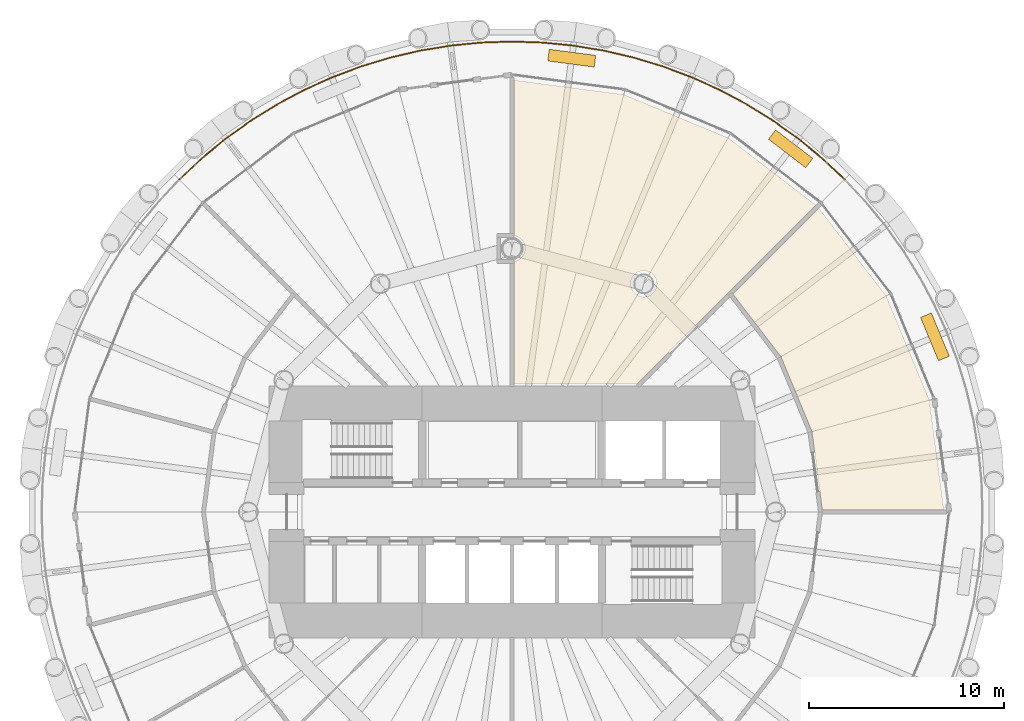
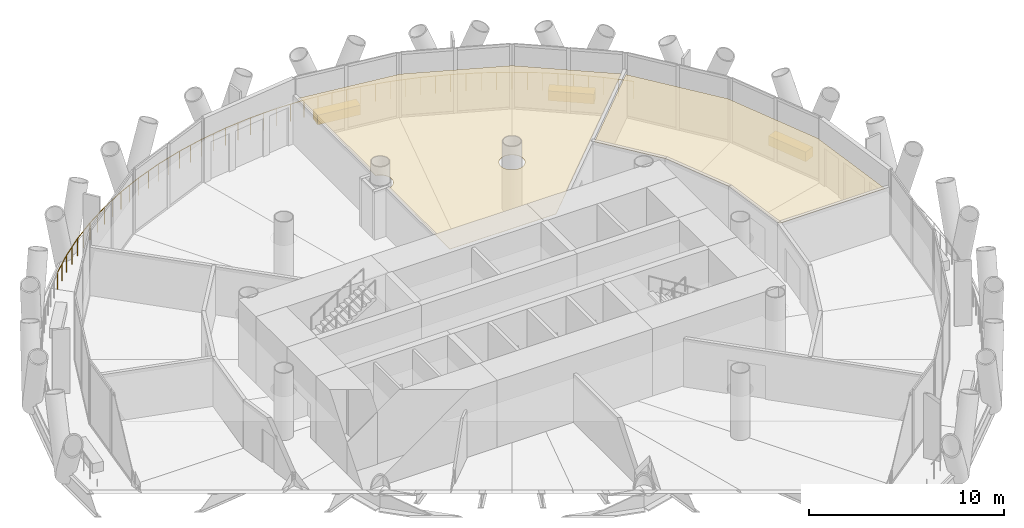
# One storey, part 14 of 14: 5 coverings, 1 railing.
"""IFC4 building model written with IfcOpenShell, lengths in metres."""

from ifc_helpers import new_model, si_unit, direction, frame, origin, origin_2d, place, context, subcontext, project, spatial, polyline, rectangle, circle, outline, extrude, material, layer, layer_set, type_object, element, save


model = new_model("IFC4")

# Units and contexts
model_context = context("Model", 3, precision=1e-05, world=origin(), true_north=direction((0.0, 1.0)))
body_context = subcontext(model_context, "Body", "Model", "MODEL_VIEW")
ifc_project = project(units=[si_unit("LENGTHUNIT", "METRE"), si_unit("AREAUNIT", "SQUARE_METRE"), si_unit("VOLUMEUNIT", "CUBIC_METRE"), si_unit("PLANEANGLEUNIT", "RADIAN"), si_unit("MASSUNIT", "GRAM", prefix="KILO")], contexts=[model_context])

# Site, building, storey
site_placement = place(None, origin())
site = spatial("IfcSite", under=ifc_project, at=site_placement, CompositionType="ELEMENT")
building_placement = place(site_placement, origin())
building = spatial("IfcBuilding", under=site, at=building_placement, Name="Qaws Media Tower", CompositionType="ELEMENT")
storey_placement = place(building_placement, frame((0.0, 0.0, 152.0)))
storey = spatial("IfcBuildingStorey", under=building, at=storey_placement, Name="L34", CompositionType="ELEMENT", Elevation=152.0)

# Railing
ifc_material_1 = material(Name="Stainless steel and glass guard", Category="steel")
railing_type = type_object("IfcRailingType", Name="Balcony guard 1100", PredefinedType="GUARDRAIL", material=ifc_material_1)
railing_placement = place(storey_placement, frame((77.041259765625, 67.041259765625, 0.0)))
element("IfcRailing", 1, at=railing_placement, inside=storey, type_object=railing_type, Name="GR1 balcony guard L34-1", PredefinedType="GUARDRAIL", context=body_context, shape_type="SweptSolid", body=[
    extrude(circle(Radius=0.02392578125, at=origin_2d()), frame((0.0, 0.0, 1.076171875), z_axis=(-0.729870205796, 0.683585753721, 0.0), x_axis=(-0.683585753721, -0.729870205796, 0.0)), (0.0, 0.0, 1.0), 1.5771484375),
    extrude(circle(Radius=0.02392578125, at=origin_2d()), frame((-1.151123046875, 1.078125, 1.076171875), z_axis=(-0.772983820353, 0.634425735191, 0.0), x_axis=(-0.634425735191, -0.772983820353, 0.0)), (0.0, 0.0, 1.0), 1.576904296875),
    extrude(circle(Radius=0.02392578125, at=origin_2d()), frame((-2.3701171875, 2.07861328125, 1.076171875), z_axis=(-0.81290629918, 0.582394495813, 0.0), x_axis=(-0.582394495813, -0.81290629918, 0.0)), (0.0, 0.0, 1.0), 1.5771484375),
    extrude(circle(Radius=0.02392578125, at=origin_2d()), frame((-3.652099609375, 2.9970703125, 1.076171875), z_axis=(-0.849187752974, 0.528091052943, 0.0), x_axis=(-0.528091052943, -0.849187752974, 0.0)), (0.0, 0.0, 1.0), 1.576904296875),
    extrude(circle(Radius=0.02392578125, at=origin_2d()), frame((-4.9912109375, 3.829833984375, 1.076171875), z_axis=(-0.881863979512, 0.471503893557, 0.0), x_axis=(-0.471503893557, -0.881863979512, 0.0)), (0.0, 0.0, 1.0), 1.5771484375),
    extrude(circle(Radius=0.02392578125, at=origin_2d()), frame((-6.382080078125, 4.573486328125, 1.076171875), z_axis=(-0.910922345852, 0.412577846991, 0.0), x_axis=(-0.412577846991, -0.910922345852, 0.0)), (0.0, 0.0, 1.0), 1.576904296875),
    extrude(circle(Radius=0.02392578125, at=origin_2d()), frame((-7.818603515625, 5.22412109375, 1.076171875), z_axis=(-0.935883127453, 0.352310618274, 0.0), x_axis=(-0.352310618274, -0.935883127453, 0.0)), (0.0, 0.0, 1.0), 1.5771484375),
    extrude(circle(Radius=0.02392578125, at=origin_2d()), frame((-9.294677734375, 5.77978515625, 1.076171875), z_axis=(-0.956939727246, 0.290286683156, 0.0), x_axis=(-0.290286683156, -0.956939727246, 0.0)), (0.0, 0.0, 1.0), 1.576904296875),
    extrude(circle(Radius=0.02392578125, at=origin_2d()), frame((-10.8037109375, 6.237548828125, 1.076171875), z_axis=(-0.973872031082, 0.227097483643, 0.0), x_axis=(-0.227097483643, -0.973872031082, 0.0)), (0.0, 0.0, 1.0), 1.5771484375),
    extrude(circle(Radius=0.02392578125, at=origin_2d()), frame((-12.339599609375, 6.595703125, 1.076171875), z_axis=(-0.986647973654, 0.162867357333, 0.0), x_axis=(-0.162867357333, -0.986647973654, 0.0)), (0.0, 0.0, 1.0), 1.576904296875),
    extrude(circle(Radius=0.02392578125, at=origin_2d()), frame((-13.8955078125, 6.8525390625, 1.076171875), z_axis=(-0.995187764733, 0.097986289481, 0.0), x_axis=(-0.097986289481, -0.995187764733, 0.0)), (0.0, 0.0, 1.0), 1.5771484375),
    extrude(circle(Radius=0.02392578125, at=origin_2d()), frame((-15.465087890625, 7.007080078125, 1.076171875), z_axis=(-0.999461279345, 0.032819980053, 0.0), x_axis=(-0.032819980053, -0.999461279345, 0.0)), (0.0, 0.0, 1.0), 1.576904296875),
    extrude(circle(Radius=0.02392578125, at=origin_2d()), frame((-17.041259765625, 7.058837890625, 1.076171875), z_axis=(-0.999461279345, -0.032819980053, 0.0), x_axis=(0.032819980053, -0.999461279345, 0.0)), (0.0, 0.0, 1.0), 1.576904296875),
    extrude(circle(Radius=0.02392578125, at=origin_2d()), frame((-18.617431640625, 7.007080078125, 1.076171875), z_axis=(-0.995187764733, -0.097986289481, 0.0), x_axis=(0.097986289481, -0.995187764733, 0.0)), (0.0, 0.0, 1.0), 1.5771484375),
    extrude(circle(Radius=0.02392578125, at=origin_2d()), frame((-20.18701171875, 6.8525390625, 1.076171875), z_axis=(-0.986647973654, -0.162867357333, 0.0), x_axis=(0.162867357333, -0.986647973654, 0.0)), (0.0, 0.0, 1.0), 1.576904296875),
    extrude(circle(Radius=0.02392578125, at=origin_2d()), frame((-21.742919921875, 6.595703125, 1.076171875), z_axis=(-0.973872031082, -0.227097483643, 0.0), x_axis=(0.227097483643, -0.973872031082, 0.0)), (0.0, 0.0, 1.0), 1.5771484375),
    extrude(circle(Radius=0.02392578125, at=origin_2d()), frame((-23.27880859375, 6.237548828125, 1.076171875), z_axis=(-0.956939727246, -0.290286683156, 0.0), x_axis=(0.290286683156, -0.956939727246, 0.0)), (0.0, 0.0, 1.0), 1.576904296875),
    extrude(circle(Radius=0.02392578125, at=origin_2d()), frame((-24.787841796875, 5.77978515625, 1.076171875), z_axis=(-0.935883127453, -0.352310618274, 0.0), x_axis=(0.352310618274, -0.935883127453, 0.0)), (0.0, 0.0, 1.0), 1.5771484375),
    extrude(circle(Radius=0.02392578125, at=origin_2d()), frame((-26.263916015625, 5.22412109375, 1.076171875), z_axis=(-0.910922345852, -0.412577846991, 0.0), x_axis=(0.412577846991, -0.910922345852, 0.0)), (0.0, 0.0, 1.0), 1.576904296875),
    extrude(circle(Radius=0.02392578125, at=origin_2d()), frame((-27.700439453125, 4.573486328125, 1.076171875), z_axis=(-0.881863979512, -0.471503893557, 0.0), x_axis=(0.471503893557, -0.881863979512, 0.0)), (0.0, 0.0, 1.0), 1.5771484375),
    extrude(circle(Radius=0.02392578125, at=origin_2d()), frame((-29.09130859375, 3.829833984375, 1.076171875), z_axis=(-0.849187752974, -0.528091052943, 0.0), x_axis=(0.528091052943, -0.849187752974, 0.0)), (0.0, 0.0, 1.0), 1.576904296875),
    extrude(circle(Radius=0.02392578125, at=origin_2d()), frame((-30.430419921875, 2.9970703125, 1.076171875), z_axis=(-0.81290629918, -0.582394495813, 0.0), x_axis=(0.582394495813, -0.81290629918, 0.0)), (0.0, 0.0, 1.0), 1.5771484375),
    extrude(circle(Radius=0.02392578125, at=origin_2d()), frame((-31.71240234375, 2.07861328125, 1.076171875), z_axis=(-0.772983820353, -0.634425735191, 0.0), x_axis=(0.634425735191, -0.772983820353, 0.0)), (0.0, 0.0, 1.0), 1.576904296875),
    extrude(circle(Radius=0.02392578125, at=origin_2d()), frame((-32.931396484375, 1.078125, 1.076171875), z_axis=(-0.729870205796, -0.683585753721, 0.0), x_axis=(0.683585753721, -0.729870205796, 0.0)), (0.0, 0.0, 1.0), 1.5771484375),
    extrude(circle(Radius=0.02099609375, at=origin_2d()), origin(), (0.0, 0.0, 1.0), 1.052001953125),
    extrude(circle(Radius=0.02099609375, at=origin_2d()), frame((-0.57568359375, 0.5390625, 0.0)), (0.0, 0.0, 1.0), 1.052001953125),
    extrude(circle(Radius=0.02099609375, at=origin_2d()), frame((-1.151123046875, 1.078125, 0.0)), (0.0, 0.0, 1.0), 1.052001953125),
    extrude(circle(Radius=0.02099609375, at=origin_2d()), frame((-1.7607421875, 1.578369140625, 0.0)), (0.0, 0.0, 1.0), 1.052001953125),
    extrude(circle(Radius=0.02099609375, at=origin_2d()), frame((-2.3701171875, 2.07861328125, 0.0)), (0.0, 0.0, 1.0), 1.052001953125),
    extrude(circle(Radius=0.02099609375, at=origin_2d()), frame((-3.01123046875, 2.537841796875, 0.0)), (0.0, 0.0, 1.0), 1.052001953125),
    extrude(circle(Radius=0.02099609375, at=origin_2d()), frame((-3.652099609375, 2.9970703125, 0.0)), (0.0, 0.0, 1.0), 1.052001953125),
    extrude(circle(Radius=0.02099609375, at=origin_2d()), frame((-4.32177734375, 3.41357421875, 0.0)), (0.0, 0.0, 1.0), 1.052001953125),
    extrude(circle(Radius=0.02099609375, at=origin_2d()), frame((-4.9912109375, 3.829833984375, 0.0)), (0.0, 0.0, 1.0), 1.052001953125),
    extrude(circle(Radius=0.02099609375, at=origin_2d()), frame((-5.6865234375, 4.20166015625, 0.0)), (0.0, 0.0, 1.0), 1.052001953125),
    extrude(circle(Radius=0.02099609375, at=origin_2d()), frame((-6.382080078125, 4.573486328125, 0.0)), (0.0, 0.0, 1.0), 1.052001953125),
    extrude(circle(Radius=0.02099609375, at=origin_2d()), frame((-7.100341796875, 4.89892578125, 0.0)), (0.0, 0.0, 1.0), 1.052001953125),
    extrude(circle(Radius=0.02099609375, at=origin_2d()), frame((-7.818603515625, 5.22412109375, 0.0)), (0.0, 0.0, 1.0), 1.052001953125),
    extrude(circle(Radius=0.02099609375, at=origin_2d()), frame((-8.556640625, 5.501953125, 0.0)), (0.0, 0.0, 1.0), 1.052001953125),
    extrude(circle(Radius=0.02099609375, at=origin_2d()), frame((-9.294677734375, 5.77978515625, 0.0)), (0.0, 0.0, 1.0), 1.052001953125),
    extrude(circle(Radius=0.02099609375, at=origin_2d()), frame((-10.04931640625, 6.0087890625, 0.0)), (0.0, 0.0, 1.0), 1.052001953125),
    extrude(circle(Radius=0.02099609375, at=origin_2d()), frame((-10.8037109375, 6.237548828125, 0.0)), (0.0, 0.0, 1.0), 1.052001953125),
    extrude(circle(Radius=0.02099609375, at=origin_2d()), frame((-11.57177734375, 6.41650390625, 0.0)), (0.0, 0.0, 1.0), 1.052001953125),
    extrude(circle(Radius=0.02099609375, at=origin_2d()), frame((-12.339599609375, 6.595703125, 0.0)), (0.0, 0.0, 1.0), 1.052001953125),
    extrude(circle(Radius=0.02099609375, at=origin_2d()), frame((-13.11767578125, 6.72412109375, 0.0)), (0.0, 0.0, 1.0), 1.052001953125),
    extrude(circle(Radius=0.02099609375, at=origin_2d()), frame((-13.8955078125, 6.8525390625, 0.0)), (0.0, 0.0, 1.0), 1.052001953125),
    extrude(circle(Radius=0.02099609375, at=origin_2d()), frame((-14.68017578125, 6.9296875, 0.0)), (0.0, 0.0, 1.0), 1.052001953125),
    extrude(circle(Radius=0.02099609375, at=origin_2d()), frame((-15.465087890625, 7.007080078125, 0.0)), (0.0, 0.0, 1.0), 1.052001953125),
    extrude(circle(Radius=0.02099609375, at=origin_2d()), frame((-16.253173828125, 7.032958984375, 0.0)), (0.0, 0.0, 1.0), 1.052001953125),
    extrude(circle(Radius=0.02099609375, at=origin_2d()), frame((-17.041259765625, 7.058837890625, 0.0)), (0.0, 0.0, 1.0), 1.052001953125),
    extrude(circle(Radius=0.02099609375, at=origin_2d()), frame((-17.829345703125, 7.032958984375, 0.0)), (0.0, 0.0, 1.0), 1.052001953125),
    extrude(circle(Radius=0.02099609375, at=origin_2d()), frame((-18.617431640625, 7.007080078125, 0.0)), (0.0, 0.0, 1.0), 1.052001953125),
    extrude(circle(Radius=0.02099609375, at=origin_2d()), frame((-19.40234375, 6.9296875, 0.0)), (0.0, 0.0, 1.0), 1.052001953125),
    extrude(circle(Radius=0.02099609375, at=origin_2d()), frame((-20.18701171875, 6.8525390625, 0.0)), (0.0, 0.0, 1.0), 1.052001953125),
    extrude(circle(Radius=0.02099609375, at=origin_2d()), frame((-20.96484375, 6.72412109375, 0.0)), (0.0, 0.0, 1.0), 1.052001953125),
    extrude(circle(Radius=0.02099609375, at=origin_2d()), frame((-21.742919921875, 6.595703125, 0.0)), (0.0, 0.0, 1.0), 1.052001953125),
    extrude(circle(Radius=0.02099609375, at=origin_2d()), frame((-22.5107421875, 6.41650390625, 0.0)), (0.0, 0.0, 1.0), 1.052001953125),
    extrude(circle(Radius=0.02099609375, at=origin_2d()), frame((-23.27880859375, 6.237548828125, 0.0)), (0.0, 0.0, 1.0), 1.052001953125),
    extrude(circle(Radius=0.02099609375, at=origin_2d()), frame((-24.033203125, 6.0087890625, 0.0)), (0.0, 0.0, 1.0), 1.052001953125),
    extrude(circle(Radius=0.02099609375, at=origin_2d()), frame((-24.787841796875, 5.77978515625, 0.0)), (0.0, 0.0, 1.0), 1.052001953125),
    extrude(circle(Radius=0.02099609375, at=origin_2d()), frame((-25.52587890625, 5.501953125, 0.0)), (0.0, 0.0, 1.0), 1.052001953125),
    extrude(circle(Radius=0.02099609375, at=origin_2d()), frame((-26.263916015625, 5.22412109375, 0.0)), (0.0, 0.0, 1.0), 1.052001953125),
    extrude(circle(Radius=0.02099609375, at=origin_2d()), frame((-26.982177734375, 4.89892578125, 0.0)), (0.0, 0.0, 1.0), 1.052001953125),
    extrude(circle(Radius=0.02099609375, at=origin_2d()), frame((-27.700439453125, 4.573486328125, 0.0)), (0.0, 0.0, 1.0), 1.052001953125),
    extrude(circle(Radius=0.02099609375, at=origin_2d()), frame((-28.39599609375, 4.20166015625, 0.0)), (0.0, 0.0, 1.0), 1.052001953125),
    extrude(circle(Radius=0.02099609375, at=origin_2d()), frame((-29.09130859375, 3.829833984375, 0.0)), (0.0, 0.0, 1.0), 1.052001953125),
    extrude(circle(Radius=0.02099609375, at=origin_2d()), frame((-29.7607421875, 3.41357421875, 0.0)), (0.0, 0.0, 1.0), 1.052001953125),
    extrude(circle(Radius=0.02099609375, at=origin_2d()), frame((-30.430419921875, 2.9970703125, 0.0)), (0.0, 0.0, 1.0), 1.052001953125),
    extrude(circle(Radius=0.02099609375, at=origin_2d()), frame((-31.0712890625, 2.537841796875, 0.0)), (0.0, 0.0, 1.0), 1.052001953125),
    extrude(circle(Radius=0.02099609375, at=origin_2d()), frame((-31.71240234375, 2.07861328125, 0.0)), (0.0, 0.0, 1.0), 1.052001953125),
    extrude(circle(Radius=0.02099609375, at=origin_2d()), frame((-32.32177734375, 1.578369140625, 0.0)), (0.0, 0.0, 1.0), 1.052001953125),
    extrude(circle(Radius=0.02099609375, at=origin_2d()), frame((-32.931396484375, 1.078125, 0.0)), (0.0, 0.0, 1.0), 1.052001953125),
    extrude(circle(Radius=0.02099609375, at=origin_2d()), frame((-33.5068359375, 0.5390625, 0.0)), (0.0, 0.0, 1.0), 1.052001953125),
    extrude(circle(Radius=0.02099609375, at=origin_2d()), frame((-34.08251953125, 0.0, 0.0)), (0.0, 0.0, 1.0), 1.052001953125),
])

# Coverings
ifc_material_2 = material(Name="600 x 600 mineral fibre tiles in exposed grid, suspended", Category="mineral fibre")
ifc_layer_1 = layer(ifc_material_2, 0.02001953125)
ifc_layer_set_1 = layer_set([ifc_layer_1], Name="Mineral fibre tile ceiling 20")
covering_type_1 = type_object("IfcCoveringType", Name="Mineral fibre tile ceiling 20", PredefinedType="CEILING", material=ifc_layer_set_1)
covering_1_placement = place(storey_placement, frame((0.0, 0.0, 2.85009765625)))
element("IfcCovering", 2, at=covering_1_placement, inside=storey, type_object=covering_type_1, Name="CL1 ceiling L34-02 IT office", PredefinedType="CEILING", context=body_context, shape_type="SweptSolid", body=[
    extrude(outline(polyline([(79.169677734375, 61.067626953125), (81.381103515625, 55.72900390625), (82.120361328125, 50.112548828125), (75.898681640625, 50.112548828125), (75.37109375, 54.11865234375), (73.781494140625, 57.956787109375), (71.321533203125, 61.16259765625), (75.72119140625, 65.56201171875), (79.169677734375, 61.067626953125)])), origin(), (0.0, 0.0, 1.0), 0.02001953125),
])
covering_2_placement = place(storey_placement, frame((0.0, 0.0, 2.85009765625)))
element("IfcCovering", 3, at=covering_2_placement, inside=storey, type_object=covering_type_1, Name="CL1 ceiling L34-03 IT open office", PredefinedType="CEILING", context=body_context, shape_type="SweptSolid", body=[
    extrude(outline(polyline([(65.72900390625, 71.381103515625), (71.067626953125, 69.169677734375), (75.56201171875, 65.72119140625), (66.4033203125, 56.5625), (60.112548828125, 56.5625), (60.112548828125, 62.8427734375), (60.1728515625, 62.854736328125), (60.255615234375, 62.8828125), (60.333984375, 62.92138671875), (60.40673828125, 62.969970703125), (60.472412109375, 63.027587890625), (60.530029296875, 63.09326171875), (60.57861328125, 63.166015625), (60.6171875, 63.244384765625), (60.645263671875, 63.3271484375), (60.662353515625, 63.412841796875), (60.66796875, 63.5), (60.662353515625, 63.587158203125), (60.645263671875, 63.6728515625), (60.6171875, 63.755615234375), (60.57861328125, 63.833984375), (60.530029296875, 63.90673828125), (60.472412109375, 63.972412109375), (60.40673828125, 64.030029296875), (60.333984375, 64.07861328125), (60.255615234375, 64.1171875), (60.1728515625, 64.145263671875), (60.112548828125, 64.1572265625), (60.112548828125, 72.120361328125), (65.72900390625, 71.381103515625)]), holes=[polyline([(67.3671875, 61.435791015625), (67.395263671875, 61.5185546875), (67.412353515625, 61.604248046875), (67.41796875, 61.69140625), (67.412353515625, 61.778564453125), (67.395263671875, 61.8642578125), (67.3671875, 61.947021484375), (67.32861328125, 62.025390625), (67.280029296875, 62.097900390625), (67.222412109375, 62.163818359375), (67.15673828125, 62.22119140625), (67.083984375, 62.269775390625), (67.005615234375, 62.30859375), (66.9228515625, 62.336669921875), (66.837158203125, 62.353515625), (66.75, 62.359375), (66.662841796875, 62.353515625), (66.5771484375, 62.336669921875), (66.494384765625, 62.30859375), (66.416015625, 62.269775390625), (66.34326171875, 62.22119140625), (66.277587890625, 62.163818359375), (66.219970703125, 62.097900390625), (66.17138671875, 62.025390625), (66.1328125, 61.947021484375), (66.104736328125, 61.8642578125), (66.087646484375, 61.778564453125), (66.08203125, 61.69140625), (66.087646484375, 61.604248046875), (66.104736328125, 61.5185546875), (66.1328125, 61.435791015625), (66.17138671875, 61.357421875), (66.219970703125, 61.28466796875), (66.277587890625, 61.218994140625), (66.34326171875, 61.161376953125), (66.416015625, 61.11279296875), (66.494384765625, 61.07421875), (66.5771484375, 61.046142578125), (66.662841796875, 61.029052734375), (66.75, 61.023193359375), (66.837158203125, 61.029052734375), (66.9228515625, 61.046142578125), (67.005615234375, 61.07421875), (67.083984375, 61.11279296875), (67.15673828125, 61.161376953125), (67.222412109375, 61.218994140625), (67.280029296875, 61.28466796875), (67.32861328125, 61.357421875), (67.3671875, 61.435791015625)])]), origin(), (0.0, 0.0, 1.0), 0.02001953125),
])
ifc_material_3 = material(Name="Precast concrete planter with trailing planting", Category="concrete")
ifc_layer_2 = layer(ifc_material_3, 0.60009765625)
ifc_layer_set_2 = layer_set([ifc_layer_2], Name="Planter 2400x600")
covering_type_2 = type_object("IfcCoveringType", Name="Planter 2400x600", PredefinedType="USERDEFINED", material=ifc_layer_set_2)
for number, where, z_axis, x_axis, name in (
    (4, (81.6650390625, 58.973876953125, 0.0), (0.0, 0.0, 1.0), (-0.382683432365, 0.923879532511, 0.0), "PL1 balcony planter L34-01"),
    (5, (74.275390625, 68.604248046875, 0.0), (0.0, 0.0, 1.0), (-0.793353340291, 0.608761429009, 0.0), "PL1 balcony planter L34-02"),
    (6, (63.060791015625, 73.249267578125, 0.0), (0.0, 0.0, 1.0), (-0.991444861374, 0.13052619222, 0.0), "PL1 balcony planter L34-03"),
):
    element("IfcCovering", number, at=place(storey_placement, frame(where, z_axis=z_axis, x_axis=x_axis)), inside=storey, type_object=covering_type_2, Name=name, ObjectType="PLANTER", PredefinedType="USERDEFINED", context=body_context, shape_type="SweptSolid", body=[
        extrude(rectangle(XDim=2.39990234375, YDim=0.60009765625, at=origin_2d()), origin(), (0.0, 0.0, 1.0), 0.60009765625),
    ])

save(model, "model.ifc")
